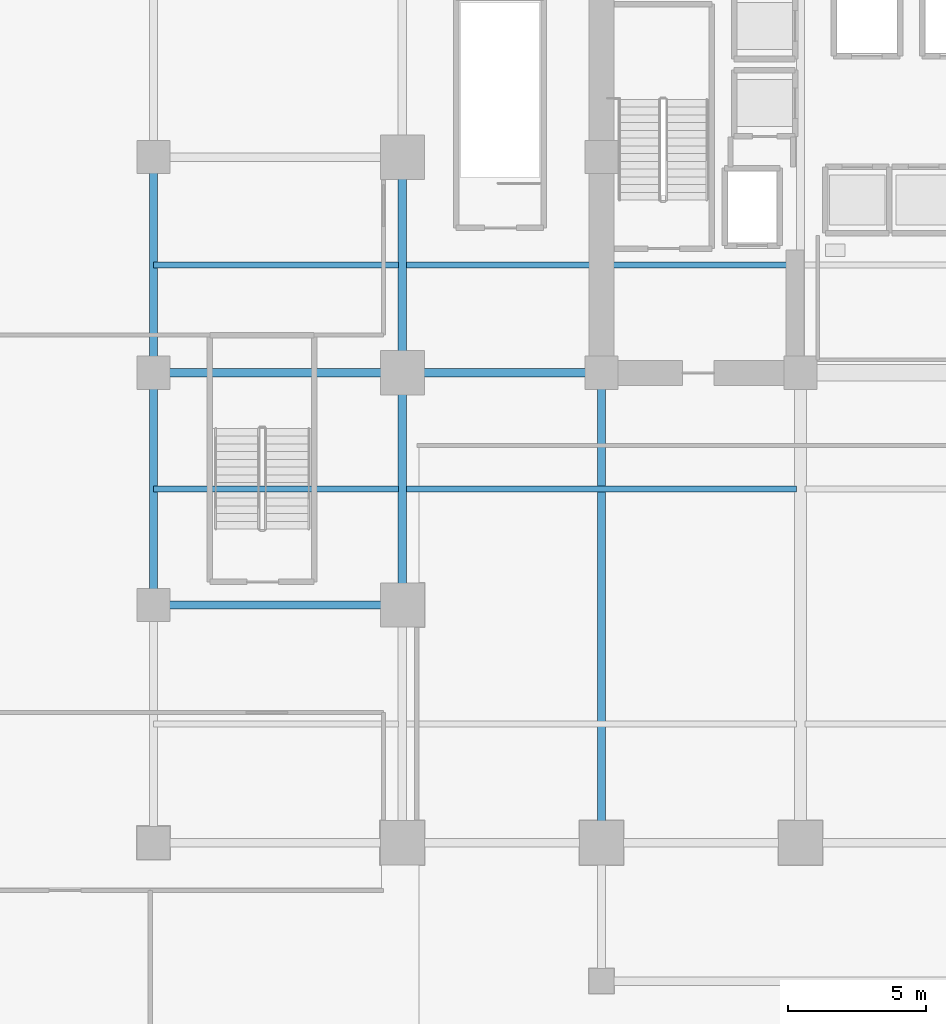
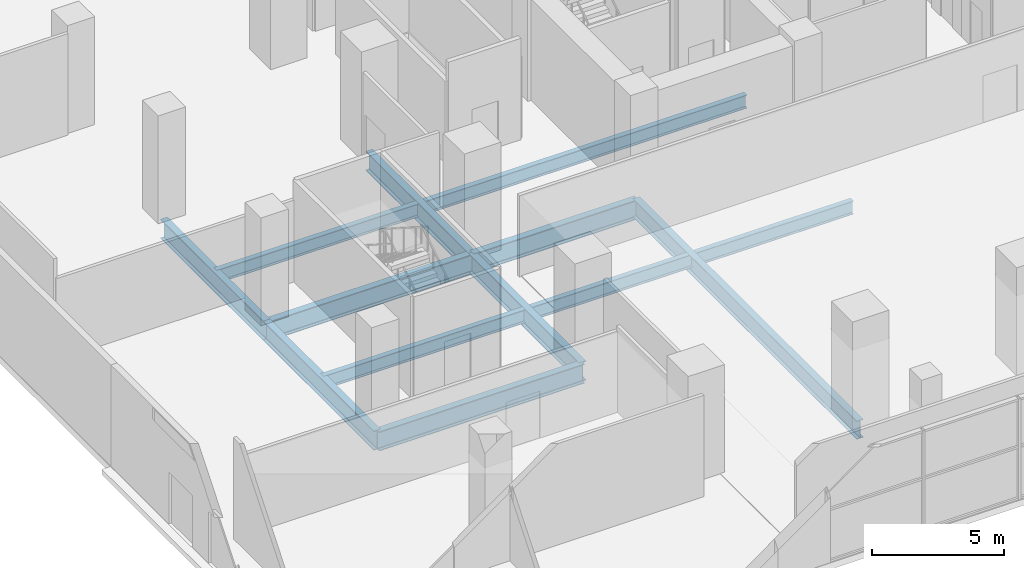
# One storey, part 3 of 27: 12 beams.
"""IFC4 building model written with IfcOpenShell, lengths in metres."""

from ifc_helpers import new_model, si_unit, direction, frame, origin, origin_2d, place, context, subcontext, project, spatial, i_section, extrude, material, material_profile, profile_set, type_object, element, save


model = new_model("IFC4")

# Units and contexts
model_context = context("Model", 3, precision=1e-05, world=origin(), true_north=direction((0.0, 1.0)))
body_context = subcontext(model_context, "Body", "Model", "MODEL_VIEW")
ifc_project = project(units=[si_unit("LENGTHUNIT", "METRE"), si_unit("AREAUNIT", "SQUARE_METRE"), si_unit("VOLUMEUNIT", "CUBIC_METRE"), si_unit("PLANEANGLEUNIT", "RADIAN"), si_unit("MASSUNIT", "GRAM", prefix="KILO")], contexts=[model_context])

# Site, building, storey
site_placement = place(None, origin())
site = spatial("IfcSite", under=ifc_project, at=site_placement, CompositionType="ELEMENT")
building_placement = place(site_placement, origin())
building = spatial("IfcBuilding", under=site, at=building_placement, Name="Zarnakvel Exchange Tower", CompositionType="ELEMENT")
storey_placement = place(building_placement, origin())
storey = spatial("IfcBuildingStorey", under=building, at=storey_placement, Name="L00", CompositionType="ELEMENT", Elevation=0.0)

# Beams
ifc_material = material(Name="Steel S355", Category="steel")
ifc_material_profile_1 = material_profile(ifc_material, i_section(OverallWidth=0.230224609375, OverallDepth=0.6171875, WebThickness=0.01318359375, FlangeThickness=0.022216796875, FilletRadius=0.0126953125, at=origin_2d()))
ifc_profile_set_1 = profile_set([ifc_material_profile_1], Name="Steel S355")
beam_type_1 = type_object("IfcBeamType", Name="B-02", PredefinedType="JOIST", material=ifc_profile_set_1)
beam_1_placement = place(storey_placement, frame((-30.60009765625, -5.39990234375, -0.608642578125), z_axis=(1.0, 0.0, 0.0), x_axis=(0.0, 1.0, 0.0)))
element("IfcBeam", 1, at=beam_1_placement, inside=storey, type_object=beam_type_1, Name="L00 Secondary Floor Joist", PredefinedType="JOIST", context=body_context, shape_type="SweptSolid", body=[
    extrude(i_section(OverallWidth=0.230224609375, OverallDepth=0.6171875, WebThickness=0.01318359375, FlangeThickness=0.022216796875, FilletRadius=0.0126953125, at=origin_2d()), origin(), (0.0, 0.0, 1.0), 8.85009765625),
])
beam_2_placement = place(storey_placement, frame((-21.449951171875, -5.39990234375, -0.608642578125), z_axis=(1.0, 0.0, 0.0), x_axis=(0.0, 1.0, 0.0)))
element("IfcBeam", 2, at=beam_2_placement, inside=storey, type_object=beam_type_1, Name="L00 Secondary Floor Joist", PredefinedType="JOIST", context=body_context, shape_type="SweptSolid", body=[
    extrude(i_section(OverallWidth=0.230224609375, OverallDepth=0.6171875, WebThickness=0.01318359375, FlangeThickness=0.022216796875, FilletRadius=0.0126953125, at=origin_2d()), origin(), (0.0, 0.0, 1.0), 14.094970703125),
])
beam_3_placement = place(storey_placement, frame((-30.60009765625, 2.699951171875, -0.608642578125), z_axis=(1.0, 0.0, 0.0), x_axis=(0.0, 1.0, 0.0)))
element("IfcBeam", 3, at=beam_3_placement, inside=storey, type_object=beam_type_1, Name="L00 Secondary Floor Joist", PredefinedType="JOIST", context=body_context, shape_type="SweptSolid", body=[
    extrude(i_section(OverallWidth=0.230224609375, OverallDepth=0.6171875, WebThickness=0.01318359375, FlangeThickness=0.022216796875, FilletRadius=0.0126953125, at=origin_2d()), origin(), (0.0, 0.0, 1.0), 8.85009765625),
])
beam_4_placement = place(storey_placement, frame((-21.449951171875, 2.699951171875, -0.608642578125), z_axis=(1.0, 0.0, 0.0), x_axis=(0.0, 1.0, 0.0)))
element("IfcBeam", 4, at=beam_4_placement, inside=storey, type_object=beam_type_1, Name="L00 Secondary Floor Joist", PredefinedType="JOIST", context=body_context, shape_type="SweptSolid", body=[
    extrude(i_section(OverallWidth=0.230224609375, OverallDepth=0.6171875, WebThickness=0.01318359375, FlangeThickness=0.022216796875, FilletRadius=0.0126953125, at=origin_2d()), origin(), (0.0, 0.0, 1.0), 14.099853515625),
])
ifc_material_profile_2 = material_profile(ifc_material, i_section(OverallWidth=0.300048828125, OverallDepth=0.89990234375, WebThickness=0.0185546875, FlangeThickness=0.034912109375, FilletRadius=0.030029296875, at=origin_2d()))
ifc_profile_set_2 = profile_set([ifc_material_profile_2], Name="Steel S355")
beam_type_2 = type_object("IfcBeamType", Name="G-01", PredefinedType="BEAM", material=ifc_profile_set_2)
for number, where, z_axis, x_axis, name in (
    (5, (-30.60009765625, -9.60009765625, -0.75), (1.0, 0.0, 0.0), (0.0, 1.0, 0.0), "L00 Primary E-W Girder Y=-9.6"),
    (6, (-30.60009765625, -1.199951171875, -0.75), (1.0, 0.0, 0.0), (0.0, 1.0, 0.0), "L00 Primary E-W Girder Y=-1.2"),
):
    element("IfcBeam", number, at=place(storey_placement, frame(where, z_axis=z_axis, x_axis=x_axis)), inside=storey, type_object=beam_type_2, Name=name, PredefinedType="BEAM", context=body_context, shape_type="SweptSolid", body=[
        extrude(i_section(OverallWidth=0.300048828125, OverallDepth=0.89990234375, WebThickness=0.0185546875, FlangeThickness=0.034912109375, FilletRadius=0.030029296875, at=origin_2d()), origin(), (0.0, 0.0, 1.0), 9.0),
    ])
beam_5_placement = place(storey_placement, frame((-21.60009765625, -1.199951171875, -0.75), z_axis=(1.0, 0.0, 0.0), x_axis=(0.0, 1.0, 0.0)))
element("IfcBeam", 7, at=beam_5_placement, inside=storey, type_object=beam_type_2, Name="L00 Primary E-W Girder Y=-1.2", PredefinedType="BEAM", context=body_context, shape_type="SweptSolid", body=[
    extrude(i_section(OverallWidth=0.300048828125, OverallDepth=0.89990234375, WebThickness=0.0185546875, FlangeThickness=0.034912109375, FilletRadius=0.030029296875, at=origin_2d()), origin(), (0.0, 0.0, 1.0), 7.2001953125),
])
beam_6_placement = place(storey_placement, frame((-30.60009765625, -9.60009765625, -0.75), z_axis=(0.0, 1.0, 0.0), x_axis=(-1.0, 0.0, 0.0)))
element("IfcBeam", 8, at=beam_6_placement, inside=storey, type_object=beam_type_2, Name="L00 Primary N-S Girder X=-30.6", PredefinedType="BEAM", context=body_context, shape_type="SweptSolid", body=[
    extrude(i_section(OverallWidth=0.300048828125, OverallDepth=0.89990234375, WebThickness=0.0185546875, FlangeThickness=0.034912109375, FilletRadius=0.030029296875, at=origin_2d()), origin(), (0.0, 0.0, 1.0), 8.400146484375),
])
beam_7_placement = place(storey_placement, frame((-30.60009765625, -1.199951171875, -0.75), z_axis=(0.0, 1.0, 0.0), x_axis=(-1.0, 0.0, 0.0)))
element("IfcBeam", 9, at=beam_7_placement, inside=storey, type_object=beam_type_2, Name="L00 Primary N-S Girder X=-30.6", PredefinedType="BEAM", context=body_context, shape_type="SweptSolid", body=[
    extrude(i_section(OverallWidth=0.300048828125, OverallDepth=0.89990234375, WebThickness=0.0185546875, FlangeThickness=0.034912109375, FilletRadius=0.030029296875, at=origin_2d()), origin(), (0.0, 0.0, 1.0), 7.800048828125),
])
beam_8_placement = place(storey_placement, frame((-21.60009765625, -9.60009765625, -0.75), z_axis=(0.0, 1.0, 0.0), x_axis=(-1.0, 0.0, 0.0)))
element("IfcBeam", 10, at=beam_8_placement, inside=storey, type_object=beam_type_2, Name="L00 Primary N-S Girder X=-21.6", PredefinedType="BEAM", context=body_context, shape_type="SweptSolid", body=[
    extrude(i_section(OverallWidth=0.300048828125, OverallDepth=0.89990234375, WebThickness=0.0185546875, FlangeThickness=0.034912109375, FilletRadius=0.030029296875, at=origin_2d()), origin(), (0.0, 0.0, 1.0), 8.400146484375),
])
beam_9_placement = place(storey_placement, frame((-21.60009765625, -1.199951171875, -0.75), z_axis=(0.0, 1.0, 0.0), x_axis=(-1.0, 0.0, 0.0)))
element("IfcBeam", 11, at=beam_9_placement, inside=storey, type_object=beam_type_2, Name="L00 Primary N-S Girder X=-21.6", PredefinedType="BEAM", context=body_context, shape_type="SweptSolid", body=[
    extrude(i_section(OverallWidth=0.300048828125, OverallDepth=0.89990234375, WebThickness=0.0185546875, FlangeThickness=0.034912109375, FilletRadius=0.030029296875, at=origin_2d()), origin(), (0.0, 0.0, 1.0), 7.800048828125),
])
ifc_material_profile_3 = material_profile(ifc_material, i_section(OverallWidth=0.293701171875, OverallDepth=0.850830078125, WebThickness=0.01611328125, FlangeThickness=0.02685546875, FilletRadius=0.017822265625, at=origin_2d()))
ifc_profile_set_3 = profile_set([ifc_material_profile_3], Name="Steel S355")
beam_type_3 = type_object("IfcBeamType", Name="TB-02", PredefinedType="T_BEAM", material=ifc_profile_set_3)
beam_10_placement = place(storey_placement, frame((-14.39990234375, -18.199951171875, -0.725341796875), z_axis=(0.0, 1.0, 0.0), x_axis=(-1.0, 0.0, 0.0)))
element("IfcBeam", 12, at=beam_10_placement, inside=storey, type_object=beam_type_3, Name="L00 Primary N-S Girder X=-14.4", PredefinedType="T_BEAM", context=body_context, shape_type="SweptSolid", body=[
    extrude(i_section(OverallWidth=0.293701171875, OverallDepth=0.850830078125, WebThickness=0.01611328125, FlangeThickness=0.02685546875, FilletRadius=0.017822265625, at=origin_2d()), origin(), (0.0, 0.0, 1.0), 17.0),
])

save(model, "model.ifc")
